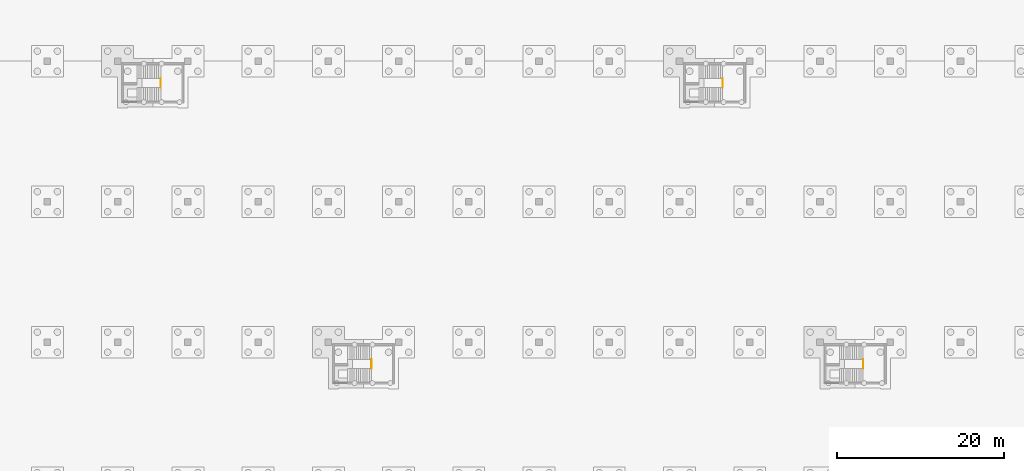
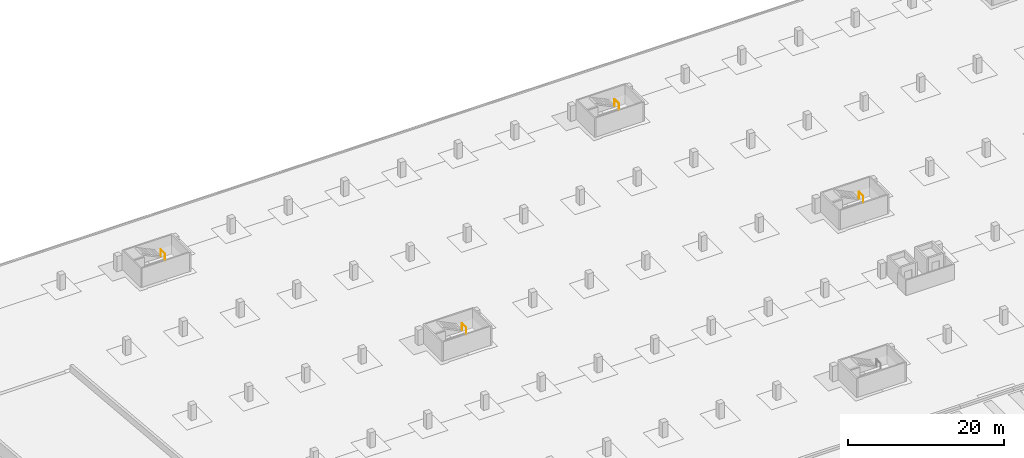
# One storey, part 63 of 67: 4 railings.
"""IFC4 building model written with IfcOpenShell, lengths in metres."""

import ifcopenshell
import ifcopenshell.guid

model = None  # the IFC model being written
_history = None  # IfcOwnerHistory: only IFC2X3 demands one
_inside = {}  # id of a spatial element -> (the spatial element, [elements in it])
_under = {}  # id of a project, library or spatial element -> (it, [spatial elements below it])
_declared = {}  # id of a project -> (the project, [libraries it declares])
_typed = {}  # id of a type object -> (the type object, [elements of that type])
_made_of = {}  # id of a material, layer set ... -> (it, [elements and type objects made of it])


def new_model(schema):
    """Start an empty IFC model of exactly this schema.

    Asked for "IFC4X3", IfcOpenShell would pick the latest addendum, in which some entities
    have other attributes; the version numbers below select the first issue.
    IFC2X3 requires an IfcOwnerHistory on every rooted entity: one is made here for all.
    """
    global model, _history
    if schema == "IFC4X3":
        model = ifcopenshell.file(schema_version=(4, 3, 0, 0))
    else:
        model = ifcopenshell.file(schema=schema)
    _inside.clear()
    _under.clear()
    _declared.clear()
    _typed.clear()
    _made_of.clear()
    _history = None
    if model.schema == "IFC2X3":
        org = make("IfcOrganization", Name="unknown")
        user = make(
            "IfcPersonAndOrganization",
            ThePerson=make("IfcPerson", FamilyName="unknown"),
            TheOrganization=org,
        )
        app = make(
            "IfcApplication",
            ApplicationDeveloper=org,
            Version="unknown",
            ApplicationFullName="unknown",
            ApplicationIdentifier="unknown",
        )
        _history = make(
            "IfcOwnerHistory",
            OwningUser=user,
            OwningApplication=app,
            ChangeAction="ADDED",
            CreationDate=0,
        )
    return model


def make(cls, **values):
    """One entity of the class cls with the attributes given. An attribute that is None is left unset."""
    return model.create_entity(
        cls, **{name: value for name, value in values.items() if value is not None}
    )


def rooted(cls, **values):
    """An entity with a GlobalId (a new one), such as an element, a storey or a relation."""
    return make(cls, GlobalId=ifcopenshell.guid.new(), OwnerHistory=_history, **values)


def si_unit(unit_type, name, prefix=None):
    """IfcSIUnit, for example si_unit("LENGTHUNIT", "METRE", prefix="MILLI")."""
    return make("IfcSIUnit", UnitType=unit_type, Prefix=prefix, Name=name)


def assignment(units):
    """IfcUnitAssignment: the units of a project."""
    return None if units is None else make("IfcUnitAssignment", Units=units)


def point(xyz):
    """IfcCartesianPoint."""
    return None if xyz is None else make("IfcCartesianPoint", Coordinates=xyz)


def direction(xyz):
    """IfcDirection."""
    return None if xyz is None else make("IfcDirection", DirectionRatios=xyz)


def frame(location, z_axis=None, x_axis=None):
    """IfcAxis2Placement3D, a coordinate frame: its origin and axes. An axis left out is left unset."""
    return make(
        "IfcAxis2Placement3D",
        Location=point(location),
        Axis=direction(z_axis),
        RefDirection=direction(x_axis),
    )


def frame_2d(location, x_axis=None):
    """IfcAxis2Placement2D, a coordinate frame in the plane: its origin and x axis."""
    return make(
        "IfcAxis2Placement2D", Location=point(location), RefDirection=direction(x_axis)
    )


def origin():
    """The frame at (0, 0, 0) with its axes left unset."""
    return frame((0.0, 0.0, 0.0))


def origin_2d():
    """The frame at (0, 0) in the plane with its x axis left unset."""
    return frame_2d((0.0, 0.0))


def place(relative_to, where):
    """IfcLocalPlacement: puts the frame where relative to a parent placement (None: the world)."""
    return make(
        "IfcLocalPlacement", PlacementRelTo=relative_to, RelativePlacement=where
    )


def context(
    kind, dimensions, precision=None, world=None, true_north=None, identifier=None
):
    """IfcGeometricRepresentationContext, for example the 3D "Model" context."""
    return make(
        "IfcGeometricRepresentationContext",
        ContextIdentifier=identifier,
        ContextType=kind,
        CoordinateSpaceDimension=dimensions,
        Precision=precision,
        WorldCoordinateSystem=world,
        TrueNorth=true_north,
    )


def subcontext(parent, identifier, kind, view, scale=None):
    """IfcGeometricRepresentationSubContext, for example "Body" below "Model"."""
    return make(
        "IfcGeometricRepresentationSubContext",
        ContextIdentifier=identifier,
        ContextType=kind,
        ParentContext=parent,
        TargetScale=scale,
        TargetView=view,
    )


def project(units=None, contexts=None):
    """IfcProject with its units and contexts."""
    return rooted(
        "IfcProject",
        Name="project",
        RepresentationContexts=contexts,
        UnitsInContext=assignment(units),
    )


def spatial(cls, under=None, at=None, **own):
    """A site, building, storey or space (cls), placed at a placement, below another one or the project."""
    s = rooted(cls, ObjectPlacement=at, **own)
    if under is not None:
        _under.setdefault(under.id(), (under, []))[1].append(s)
    return s


def profile(cls, at=None, kind="AREA", **sizes):
    """A parametric profile (cls). Its sizes go by their IFC names, for example OverallWidth=200.0."""
    return make(cls, ProfileType=kind, Position=at, **sizes)


def circle(**sizes):
    """IfcCircleProfileDef."""
    return profile("IfcCircleProfileDef", **sizes)


def extrude(swept, where, along, depth):
    """IfcExtrudedAreaSolid: the profile swept, set in the frame where, extruded along a direction by depth."""
    return make(
        "IfcExtrudedAreaSolid",
        SweptArea=swept,
        Position=where,
        ExtrudedDirection=direction(along),
        Depth=depth,
    )


def shape(context_of_items, identifier, shape_type, items):
    """IfcShapeRepresentation: the items that make up one representation, for example the "Body"."""
    return make(
        "IfcShapeRepresentation",
        ContextOfItems=context_of_items,
        RepresentationIdentifier=identifier,
        RepresentationType=shape_type,
        Items=items,
    )


def material(Name=None, Category=None):
    """IfcMaterial."""
    return make("IfcMaterial", Name=Name, Category=Category)


def made_of(thing, what):
    """Note that an element or type object is made of a material, layer set ...; save() writes the relation."""
    if what is not None:
        _made_of.setdefault(what.id(), (what, []))[1].append(thing)
    return thing


def type_object(cls, material=None, **own):
    """A type object (cls), such as IfcWallType, which elements share."""
    return made_of(rooted(cls, **own), material)


def element(
    cls,
    number,
    at=None,
    inside=None,
    cuts=None,
    type_object=None,
    material=None,
    context=None,
    identifier="Body",
    shape_type=None,
    held_by="IfcProductDefinitionShape",
    body=None,
    shapes=None,
    **own,
):
    """One element of the class cls, such as IfcWall. Its Tag is "e" and its number.

    at: its placement. inside: the storey or other place that contains it. cuts: it is an
    opening in that element (IfcRelVoidsElement). A single representation is given by context,
    identifier, shape_type and body (its items); several are given by shapes. held_by: the class
    of the entity that holds the representations. save() writes the other relations.
    """
    e = rooted(cls, Tag="e%d" % number, ObjectPlacement=at, **own)
    if body is not None:
        shapes = [shape(context, identifier, shape_type, body)]
    if shapes is not None:
        e.Representation = make(held_by, Representations=shapes)
    if inside is not None:
        _inside.setdefault(inside.id(), (inside, []))[1].append(e)
    if cuts is not None:
        rooted(
            "IfcRelVoidsElement", RelatingBuildingElement=cuts, RelatedOpeningElement=e
        )
    if type_object is not None:
        _typed.setdefault(type_object.id(), (type_object, []))[1].append(e)
    return made_of(e, material)


def aggregate(whole, parts):
    """IfcRelAggregates: a whole, such as a stair, and the parts it consists of."""
    return rooted("IfcRelAggregates", RelatingObject=whole, RelatedObjects=parts)


def save(model, path):
    """Write the relations noted so far, then the file.

    IfcRelAggregates (storeys below a building ...), IfcRelContainedInSpatialStructure (elements
    in a storey), IfcRelDefinesByType, IfcRelAssociatesMaterial and IfcRelDeclares: one each for
    every whole, place, type object, material and project.
    """
    for whole, parts in _under.values():
        aggregate(whole, parts)
    for where, things in _inside.values():
        rooted(
            "IfcRelContainedInSpatialStructure",
            RelatedElements=things,
            RelatingStructure=where,
        )
    for kind, things in _typed.values():
        rooted("IfcRelDefinesByType", RelatedObjects=things, RelatingType=kind)
    for what, things in _made_of.values():
        rooted("IfcRelAssociatesMaterial", RelatedObjects=things, RelatingMaterial=what)
    for by, libraries in _declared.values():
        rooted("IfcRelDeclares", RelatingContext=by, RelatedDefinitions=libraries)
    model.write(path)


model = new_model("IFC4")

# Units and contexts
model_context = context("Model", 3, precision=1e-05, world=origin(), true_north=direction((0.0, 1.0)))
body_context = subcontext(model_context, "Body", "Model", "MODEL_VIEW")
ifc_project = project(units=[si_unit("LENGTHUNIT", "METRE"), si_unit("AREAUNIT", "SQUARE_METRE"), si_unit("VOLUMEUNIT", "CUBIC_METRE"), si_unit("PLANEANGLEUNIT", "RADIAN"), si_unit("MASSUNIT", "GRAM", prefix="KILO")], contexts=[model_context])

# Site, building, storey
site_placement = place(None, origin())
site = spatial("IfcSite", under=ifc_project, at=site_placement, CompositionType="ELEMENT")
building_placement = place(site_placement, origin())
building = spatial("IfcBuilding", under=site, at=building_placement, Name="Rain Tree Exposition and Congress Centre", CompositionType="ELEMENT")
storey_placement = place(building_placement, frame((0.0, 0.0, -3.0)))
storey = spatial("IfcBuildingStorey", under=building, at=storey_placement, Name="B1", CompositionType="ELEMENT", Elevation=-3.0)

# Railings
ifc_material = material(Name="Stainless steel", Category="steel")
railing_type = type_object("IfcRailingType", Name="Guard 1100 stainless", PredefinedType="GUARDRAIL", material=ifc_material)
for number, where, name in (
    (1, (72.360107421875, 248.85009765625, 1.5), "Exit stair N05 well guard"),
    (2, (131.159912109375, 248.85009765625, 1.5), "Exit stair N06 well guard"),
):
    element("IfcRailing", number, at=place(storey_placement, frame(where)), inside=storey, type_object=railing_type, Name=name, PredefinedType="GUARDRAIL", context=body_context, shape_type="SweptSolid", body=[
        extrude(circle(Radius=0.02490234375, at=origin_2d()), frame((0.0, 0.0, 1.0751953125), z_axis=(0.0, 1.0, 0.0), x_axis=(-1.0, 0.0, 0.0)), (0.0, 0.0, 1.0), 1.099853515625),
        extrude(circle(Radius=0.02490234375, at=origin_2d()), origin(), (0.0, 0.0, 1.0), 1.050048828125),
        extrude(circle(Radius=0.02490234375, at=origin_2d()), frame((0.0, 1.099853515625, 0.0)), (0.0, 0.0, 1.0), 1.050048828125),
    ])
for number, where, name in (
    (3, (47.159912109375, 282.449951171875, 1.5), "Exit stair N09 well guard"),
    (4, (114.360107421875, 282.449951171875, 1.5), "Exit stair N10 well guard"),
):
    element("IfcRailing", number, at=place(storey_placement, frame(where)), inside=storey, type_object=railing_type, Name=name, PredefinedType="GUARDRAIL", context=body_context, shape_type="SweptSolid", body=[
        extrude(circle(Radius=0.02490234375, at=origin_2d()), frame((0.0, 0.0, 1.0751953125), z_axis=(0.0, 1.0, 0.0), x_axis=(-1.0, 0.0, 0.0)), (0.0, 0.0, 1.0), 1.10009765625),
        extrude(circle(Radius=0.02490234375, at=origin_2d()), origin(), (0.0, 0.0, 1.0), 1.050048828125),
        extrude(circle(Radius=0.02490234375, at=origin_2d()), frame((0.0, 1.10009765625, 0.0)), (0.0, 0.0, 1.0), 1.050048828125),
    ])

save(model, "model.ifc")
